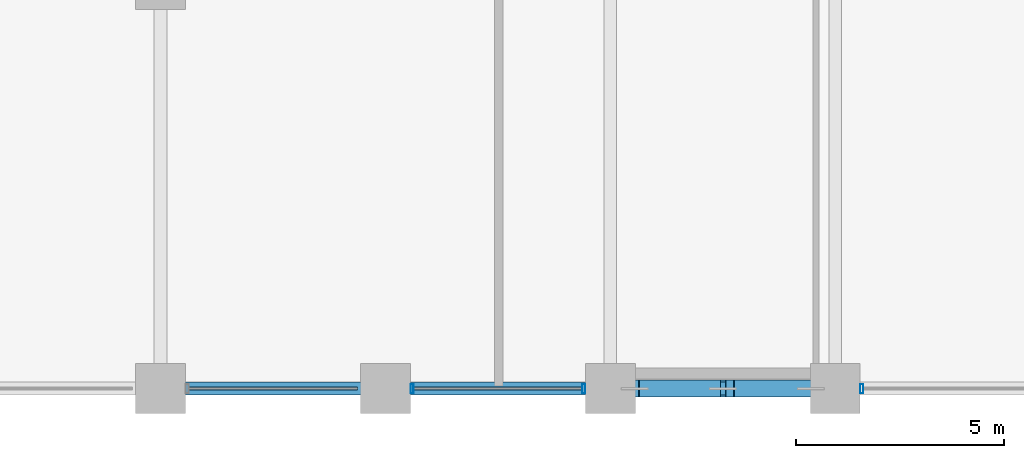
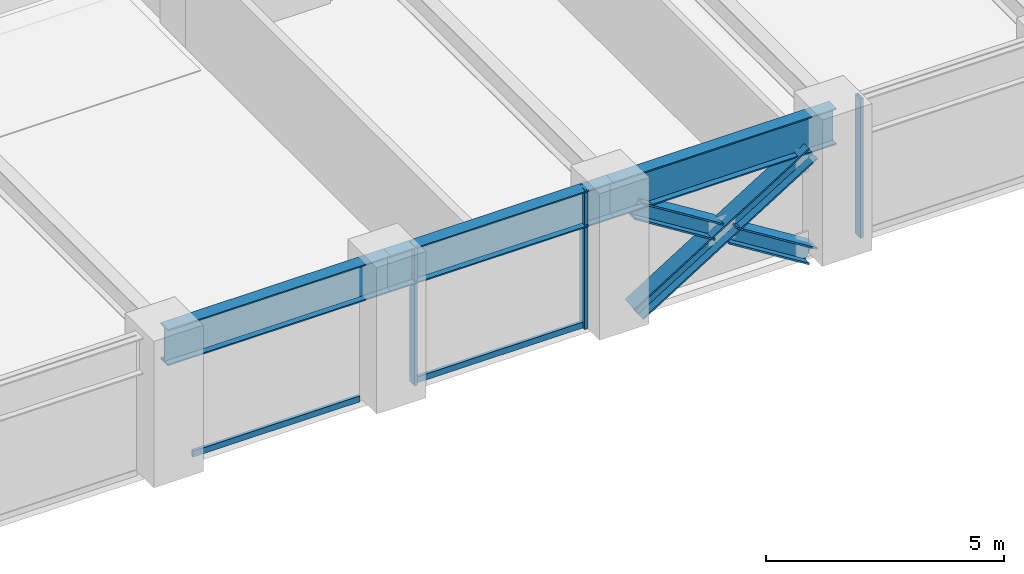
# One storey, part 3 of 26: 8 members, 3 beams, 2 elements without a shape of their own.
"""IFC4 building model written with IfcOpenShell, lengths in metres."""

from ifc_helpers import new_model, si_unit, direction, frame, origin, origin_2d, place, context, subcontext, project, spatial, hollow_rectangle, i_section, extrude, material, layer, layer_set, material_profile, profile_set, type_object, element, aggregate, save


model = new_model("IFC4")

# Units and contexts
model_context = context("Model", 3, precision=1e-05, world=origin(), true_north=direction((0.0, 1.0)))
body_context = subcontext(model_context, "Body", "Model", "MODEL_VIEW")
ifc_project = project(units=[si_unit("LENGTHUNIT", "METRE"), si_unit("AREAUNIT", "SQUARE_METRE"), si_unit("VOLUMEUNIT", "CUBIC_METRE"), si_unit("PLANEANGLEUNIT", "RADIAN"), si_unit("MASSUNIT", "GRAM", prefix="KILO")], contexts=[model_context])

# Site, building, storey
site_placement = place(None, origin())
site = spatial("IfcSite", under=ifc_project, at=site_placement, CompositionType="ELEMENT")
building_placement = place(site_placement, origin())
building = spatial("IfcBuilding", under=site, at=building_placement, Name="Surkhivell Harbour Commons", CompositionType="ELEMENT")
storey_placement = place(building_placement, frame((0.0, 0.0, 71.25)))
storey = spatial("IfcBuildingStorey", under=building, at=storey_placement, Name="L18", CompositionType="ELEMENT", Elevation=71.25)

# Beams
ifc_material_1 = material(Name="Steel S460", Category="steel")
ifc_material_profile_1 = material_profile(ifc_material_1, i_section(OverallWidth=0.30810546875, OverallDepth=0.927001953125, WebThickness=0.01953125, FlangeThickness=0.031982421875, at=origin_2d()), Name="UB914x305x289")
ifc_profile_set_1 = profile_set([ifc_material_profile_1], Name="Steel S460")
beam_type = type_object("IfcBeamType", Name="BM-SPN-914B", PredefinedType="SPANDREL", material=ifc_profile_set_1)
beam_1_placement = place(storey_placement, frame((-21.60009765625, -25.89990234375, 3.1064453125), z_axis=(1.0, 0.0, 0.0), x_axis=(0.0, 1.0, 0.0)))
element("IfcBeam", 1, at=beam_1_placement, inside=storey, type_object=beam_type, Name="L18 Tube Spandrel (-21.6,-25.9)", PredefinedType="SPANDREL", context=body_context, shape_type="SweptSolid", body=[
    extrude(i_section(OverallWidth=0.30810546875, OverallDepth=0.927001953125, WebThickness=0.01953125, FlangeThickness=0.031982421875, at=origin_2d()), origin(), (0.0, 0.0, 1.0), 5.400146484375),
])
beam_2_placement = place(storey_placement, frame((-16.199951171875, -25.89990234375, 3.1064453125), z_axis=(1.0, 0.0, 0.0), x_axis=(0.0, 1.0, 0.0)))
element("IfcBeam", 2, at=beam_2_placement, inside=storey, type_object=beam_type, Name="L18 Tube Spandrel (-16.2,-25.9)", PredefinedType="SPANDREL", context=body_context, shape_type="SweptSolid", body=[
    extrude(i_section(OverallWidth=0.30810546875, OverallDepth=0.927001953125, WebThickness=0.01953125, FlangeThickness=0.031982421875, at=origin_2d()), origin(), (0.0, 0.0, 1.0), 5.39990234375),
])
beam_3_placement = place(storey_placement, frame((-10.800048828125, -25.89990234375, 3.1064453125), z_axis=(1.0, 0.0, 0.0), x_axis=(0.0, 1.0, 0.0)))
element("IfcBeam", 3, at=beam_3_placement, inside=storey, type_object=beam_type, Name="L18 Tube Spandrel (-10.8,-25.9)", PredefinedType="SPANDREL", context=body_context, shape_type="SweptSolid", body=[
    extrude(i_section(OverallWidth=0.30810546875, OverallDepth=0.927001953125, WebThickness=0.01953125, FlangeThickness=0.031982421875, at=origin_2d()), origin(), (0.0, 0.0, 1.0), 5.400146484375),
])

# Curtain wall, members
ifc_material_2 = material(Name="Anodised pale-metal aluminium and insulated glazing", Category="aluminium")
ifc_layer = layer(ifc_material_2, 0.219970703125)
ifc_layer_set = layer_set([ifc_layer], Name="Anodised pale-metal aluminium and insulated glazing")
curtain_wall_type = type_object("IfcCurtainWallType", Name="CW-SYS-Z1", PredefinedType="NOTDEFINED", material=ifc_layer_set)
curtain_wall_1_placement = place(storey_placement, origin())
curtain_wall_1 = element("IfcCurtainWall", 4, at=curtain_wall_1_placement, inside=storey, type_object=curtain_wall_type, Name="L18 Curtain Wall CW-L18-E00S1", PredefinedType="NOTDEFINED")
ifc_material_3 = material(Name="Anodised pale-metal aluminium alloy 6063-T6", Category="aluminium")
ifc_material_profile_2 = material_profile(ifc_material_3, hollow_rectangle(XDim=0.074951171875, YDim=0.219970703125, WallThickness=0.00390625, at=origin_2d()), Name="ALU-MULL-75x220")
ifc_profile_set_2 = profile_set([ifc_material_profile_2], Name="Anodised pale-metal aluminium alloy 6063-T6")
member_type_1 = type_object("IfcMemberType", Name="CWM-220", PredefinedType="MULLION", material=ifc_profile_set_2)
member_1_placement = place(storey_placement, frame((-15.560546875, -25.89990234375, 0.0), z_axis=(0.0, 0.0, 1.0), x_axis=(1.0, 0.0, 0.0)))
member_1 = element("IfcMember", 5, at=member_1_placement, type_object=member_type_1, Name="CW-Z1 mullion 3", PredefinedType="MULLION", context=body_context, shape_type="SweptSolid", body=[
    extrude(hollow_rectangle(XDim=0.074951171875, YDim=0.219970703125, WallThickness=0.00390625, at=origin_2d()), origin(), (0.0, 0.0, 1.0), 3.570068359375),
])
member_2_placement = place(storey_placement, frame((-11.439453125, -25.89990234375, 0.0), z_axis=(0.0, 0.0, 1.0), x_axis=(1.0, 0.0, 0.0)))
member_2 = element("IfcMember", 6, at=member_2_placement, type_object=member_type_1, Name="CW-Z1 mullion 4", PredefinedType="MULLION", context=body_context, shape_type="SweptSolid", body=[
    extrude(hollow_rectangle(XDim=0.074951171875, YDim=0.219970703125, WallThickness=0.00390625, at=origin_2d()), origin(), (0.0, 0.0, 1.0), 3.570068359375),
])

# Curtain wall, member
curtain_wall_2_placement = place(storey_placement, origin())
curtain_wall_2 = element("IfcCurtainWall", 7, at=curtain_wall_2_placement, inside=storey, type_object=curtain_wall_type, Name="L18 Curtain Wall CW-L18-E00S2", PredefinedType="NOTDEFINED")
member_3_placement = place(storey_placement, frame((-4.760498046875, -25.89990234375, 0.0), z_axis=(0.0, 0.0, 1.0), x_axis=(1.0, 0.0, 0.0)))
member_3 = element("IfcMember", 8, at=member_3_placement, type_object=member_type_1, Name="CW-Z1 mullion 1", PredefinedType="MULLION", context=body_context, shape_type="SweptSolid", body=[
    extrude(hollow_rectangle(XDim=0.074951171875, YDim=0.219970703125, WallThickness=0.00390625, at=origin_2d()), origin(), (0.0, 0.0, 1.0), 3.570068359375),
])
aggregate(curtain_wall_2, [member_3])

# Member
ifc_material_profile_3 = material_profile(ifc_material_3, hollow_rectangle(XDim=0.074951171875, YDim=0.14990234375, WallThickness=0.00341796875, at=origin_2d()), Name="ALU-TRAN-75x150")
ifc_profile_set_3 = profile_set([ifc_material_profile_3], Name="Anodised pale-metal aluminium alloy 6063-T6")
member_type_2 = type_object("IfcMemberType", Name="CWT-150", PredefinedType="USERDEFINED", material=ifc_profile_set_3)
member_4_placement = place(storey_placement, frame((-20.923095703125, -25.89990234375, 0.074951171875), z_axis=(1.0, 0.0, 0.0), x_axis=(0.0, 1.0, 0.0)))
member_4 = element("IfcMember", 9, at=member_4_placement, type_object=member_type_2, Name="CW-Z1 transom 2.1", ObjectType="TRANSOM", PredefinedType="USERDEFINED", context=body_context, shape_type="SweptSolid", body=[
    extrude(hollow_rectangle(XDim=0.074951171875, YDim=0.14990234375, WallThickness=0.00341796875, at=origin_2d()), origin(), (0.0, 0.0, 1.0), 4.046142578125),
])

member_5_placement = place(storey_placement, frame((-15.52294921875, -25.89990234375, 0.074951171875), z_axis=(1.0, 0.0, 0.0), x_axis=(0.0, 1.0, 0.0)))
member_5 = element("IfcMember", 10, at=member_5_placement, type_object=member_type_2, Name="CW-Z1 transom 3.1", ObjectType="TRANSOM", PredefinedType="USERDEFINED", context=body_context, shape_type="SweptSolid", body=[
    extrude(hollow_rectangle(XDim=0.074951171875, YDim=0.14990234375, WallThickness=0.00341796875, at=origin_2d()), origin(), (0.0, 0.0, 1.0), 4.0458984375),
])

aggregate(curtain_wall_1, [member_4, member_1, member_2, member_5])

# Members
ifc_material_profile_4 = material_profile(ifc_material_1, i_section(OverallWidth=0.406005859375, OverallDepth=0.416015625, WebThickness=0.026611328125, FlangeThickness=0.0390625, at=origin_2d()), Name="HD400x382")
ifc_profile_set_4 = profile_set([ifc_material_profile_4], Name="Steel S460")
member_type_3 = type_object("IfcMemberType", Name="MEM-BRC-HD382", PredefinedType="BRACE", material=ifc_profile_set_4)
member_6_placement = place(storey_placement, frame((-10.215087890625, -25.89990234375, 0.008056640625), z_axis=(0.848432685315, 0.0, 0.529303295369), x_axis=(0.0, 1.0, 0.0)))
element("IfcMember", 11, at=member_6_placement, inside=storey, type_object=member_type_3, Name="L18 Perimeter Mega-Brace MB- 07", PredefinedType="BRACE", context=body_context, shape_type="SweptSolid", body=[
    extrude(i_section(OverallWidth=0.406005859375, OverallDepth=0.416015625, WebThickness=0.026611328125, FlangeThickness=0.0390625, at=origin_2d()), origin(), (0.0, 0.0, 1.0), 4.985595703125),
])
member_7_placement = place(storey_placement, frame((-5.985107421875, -25.89990234375, 0.008056640625), z_axis=(-0.848458555811, 0.0, 0.529261824688), x_axis=(0.0, -1.0, 0.0)))
element("IfcMember", 12, at=member_7_placement, inside=storey, type_object=member_type_3, Name="L18 Perimeter Mega-Brace MB- 08", PredefinedType="BRACE", context=body_context, shape_type="SweptSolid", body=[
    extrude(i_section(OverallWidth=0.406005859375, OverallDepth=0.416015625, WebThickness=0.026611328125, FlangeThickness=0.0390625, at=origin_2d()), origin(), (0.0, 0.0, 1.0), 2.29296875),
])
member_8_placement = place(storey_placement, frame((-8.269287109375, -25.89990234375, 1.43310546875), z_axis=(-0.84844057108, 0.0, 0.529290654882), x_axis=(0.0, -1.0, 0.0)))
element("IfcMember", 13, at=member_8_placement, inside=storey, type_object=member_type_3, Name="L18 Perimeter Mega-Brace MB- 09", PredefinedType="BRACE", context=body_context, shape_type="SweptSolid", body=[
    extrude(i_section(OverallWidth=0.406005859375, OverallDepth=0.416015625, WebThickness=0.026611328125, FlangeThickness=0.0390625, at=origin_2d()), origin(), (0.0, 0.0, 1.0), 2.29345703125),
])

save(model, "model.ifc")
